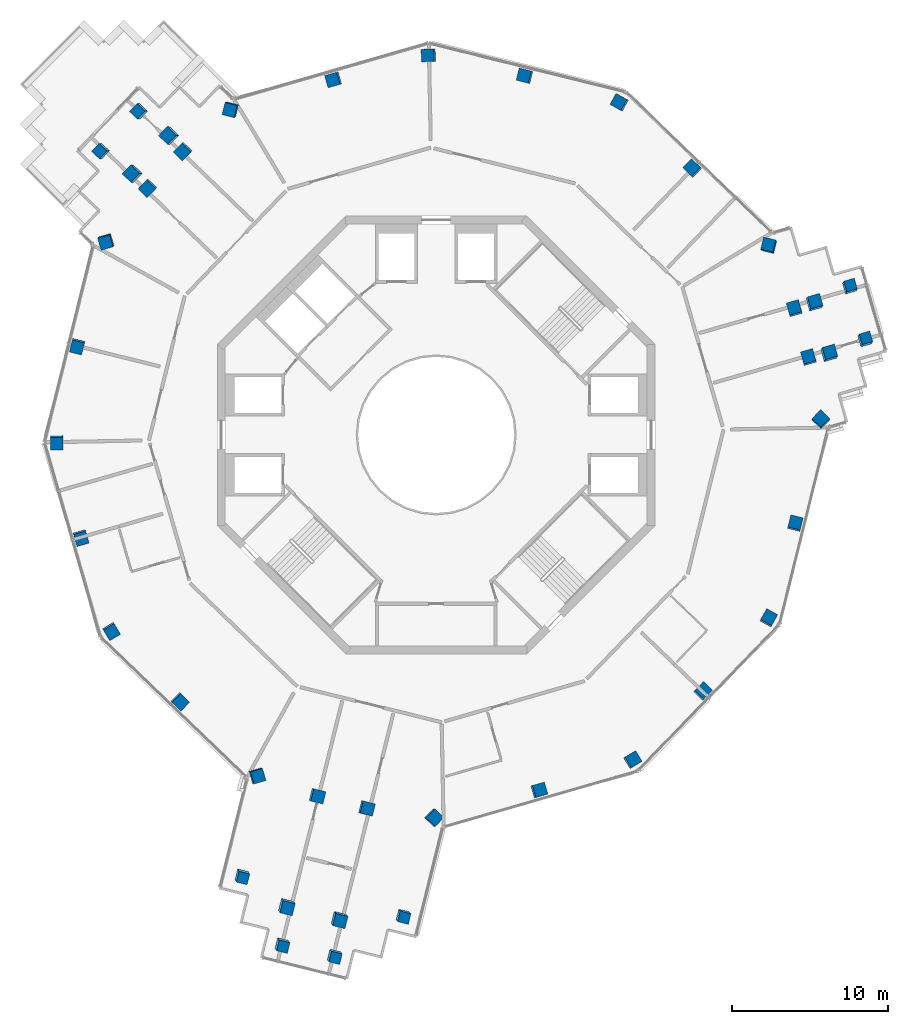
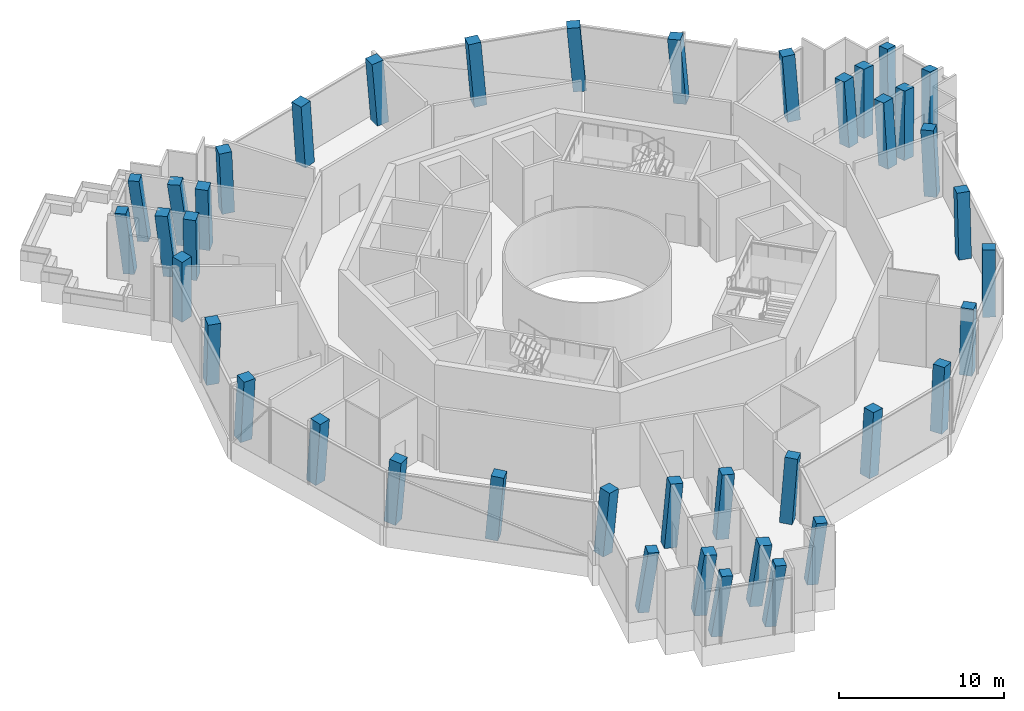
# One storey, part 1 of 17: 41 columns.
"""IFC4 building model written with IfcOpenShell, lengths in metres."""

from ifc_helpers import new_model, si_unit, direction, frame, origin, origin_2d, place, context, subcontext, project, spatial, rectangle, extrude, material, material_profile, profile_set, type_object, element, save


model = new_model("IFC4")

# Units and contexts
model_context = context("Model", 3, precision=1e-05, world=origin(), true_north=direction((0.0, 1.0)))
body_context = subcontext(model_context, "Body", "Model", "MODEL_VIEW")
ifc_project = project(units=[si_unit("LENGTHUNIT", "METRE"), si_unit("AREAUNIT", "SQUARE_METRE"), si_unit("VOLUMEUNIT", "CUBIC_METRE"), si_unit("PLANEANGLEUNIT", "RADIAN"), si_unit("MASSUNIT", "GRAM", prefix="KILO")], contexts=[model_context])

# Site, building, storey
site_placement = place(None, origin())
site = spatial("IfcSite", under=ifc_project, at=site_placement, CompositionType="ELEMENT")
building_placement = place(site_placement, origin())
building = spatial("IfcBuilding", under=site, at=building_placement, Name="Verdalira Terraces Hotel", CompositionType="ELEMENT")
storey_placement = place(building_placement, frame((0.0, 0.0, 222.0)))
storey = spatial("IfcBuildingStorey", under=building, at=storey_placement, Name="L54", CompositionType="ELEMENT", Elevation=222.0)

# Columns
ifc_material_1 = material(Name="Concrete C50", Category="concrete")
ifc_material_profile_1 = material_profile(ifc_material_1, rectangle(XDim=0.699951, YDim=0.699951, at=origin_2d()), Name="RC 700X700")
ifc_profile_set_1 = profile_set([ifc_material_profile_1], Name="Concrete C50")
column_type_1 = type_object("IfcColumnType", Name="Column RC 700X700 C50", PredefinedType="COLUMN", material=ifc_profile_set_1)
column_1_placement = place(storey_placement, frame((-12.447266, -28.190186, 0.0), z_axis=(0.072235859, -0.13392446, 0.98835531), x_axis=(-0.250241026, -0.961681231, -0.11202071)))
element("IfcColumn", 1, at=column_1_placement, inside=storey, type_object=column_type_1, Name="Column C08", PredefinedType="COLUMN", context=body_context, shape_type="SweptSolid", body=[
    extrude(rectangle(XDim=0.699951, YDim=0.699951, at=origin_2d()), origin(), (0.0, 0.0, 1.0), 4.745117),
])
column_2_placement = place(storey_placement, frame((-9.891602, -32.594482, 0.0), z_axis=(0.086741901, -0.125276708, 0.988322614), x_axis=(0.967103187, -0.227548938, -0.113722938)))
element("IfcColumn", 2, at=column_2_placement, inside=storey, type_object=column_type_1, Name="Column C09", PredefinedType="COLUMN", context=body_context, shape_type="SweptSolid", body=[
    extrude(rectangle(XDim=0.699951, YDim=0.699951, at=origin_2d()), origin(), (0.0, 0.0, 1.0), 4.745361),
])
column_3_placement = place(storey_placement, frame((-6.548096, -33.320068, 0.0), z_axis=(0.089157083, -0.114343572, 0.989432444), x_axis=(0.966794372, -0.228931598, -0.113573618)))
element("IfcColumn", 3, at=column_3_placement, inside=storey, type_object=column_type_1, Name="Column C10", PredefinedType="COLUMN", context=body_context, shape_type="SweptSolid", body=[
    extrude(rectangle(XDim=0.699951, YDim=0.699951, at=origin_2d()), origin(), (0.0, 0.0, 1.0), 4.73999),
])
column_4_placement = place(storey_placement, frame((-2.143799, -30.764404, 0.0), z_axis=(0.080688994, -0.100048158, 0.991705426), x_axis=(0.247853071, 0.965712079, 0.077259535)))
element("IfcColumn", 4, at=column_4_placement, inside=storey, type_object=column_type_1, Name="Column C11", PredefinedType="COLUMN", context=body_context, shape_type="SweptSolid", body=[
    extrude(rectangle(XDim=0.699951, YDim=0.699951, at=origin_2d()), origin(), (0.0, 0.0, 1.0), 4.729248),
])
column_5_placement = place(storey_placement, frame((27.408203, 6.068848, 0.0), z_axis=(0.070939171, 0.118936532, 0.990364446), x_axis=(-0.285062319, 0.953875237, -0.094135576)))
element("IfcColumn", 5, at=column_5_placement, inside=storey, type_object=column_type_1, Name="Column C19", PredefinedType="COLUMN", context=body_context, shape_type="SweptSolid", body=[
    extrude(rectangle(XDim=0.699951, YDim=0.699951, at=origin_2d()), origin(), (0.0, 0.0, 1.0), 4.735596),
])
column_6_placement = place(storey_placement, frame((26.433105, 9.451172, 0.0), z_axis=(0.05987016, 0.115766181, 0.991470501), x_axis=(-0.283719095, 0.954260476, -0.094289021)))
element("IfcColumn", 6, at=column_6_placement, inside=storey, type_object=column_type_1, Name="Column C20", PredefinedType="COLUMN", context=body_context, shape_type="SweptSolid", body=[
    extrude(rectangle(XDim=0.699951, YDim=0.699951, at=origin_2d()), origin(), (0.0, 0.0, 1.0), 4.730225),
])
column_7_placement = place(storey_placement, frame((-18.959961, 20.70166, 0.0), z_axis=(-0.138475646, 0.002010629, 0.990363798), x_axis=(-0.683776998, -0.723593061, -0.094138724)))
element("IfcColumn", 7, at=column_7_placement, inside=storey, type_object=column_type_1, Name="Column C28", PredefinedType="COLUMN", context=body_context, shape_type="SweptSolid", body=[
    extrude(rectangle(XDim=0.699951, YDim=0.699951, at=origin_2d()), origin(), (0.0, 0.0, 1.0), 4.735596),
])
column_8_placement = place(storey_placement, frame((-21.401611, 18.16626, 0.0), z_axis=(-0.130115637, -0.0060903, 0.99148012), x_axis=(-0.684229618, -0.7231524, -0.094236067)))
element("IfcColumn", 8, at=column_8_placement, inside=storey, type_object=column_type_1, Name="Column C29", PredefinedType="COLUMN", context=body_context, shape_type="SweptSolid", body=[
    extrude(rectangle(XDim=0.699951, YDim=0.699951, at=origin_2d()), origin(), (0.0, 0.0, 1.0), 4.730225),
])
ifc_material_2 = material(Name="Concrete C50", Category="concrete")
ifc_material_profile_2 = material_profile(ifc_material_2, rectangle(XDim=0.800049, YDim=0.800049, at=origin_2d()), Name="RC 800X800")
ifc_profile_set_2 = profile_set([ifc_material_profile_2], Name="Concrete C50")
column_type_2 = type_object("IfcColumnType", Name="Column RC 800X800 C50", PredefinedType="COLUMN", material=ifc_profile_set_2)
column_9_placement = place(storey_placement, frame((-21.116699, 12.394287, 0.0), z_axis=(-0.040830981, -0.070870546, 0.996649485), x_axis=(-0.27945954, 0.958481417, 0.056707494)))
element("IfcColumn", 9, at=column_9_placement, inside=storey, type_object=column_type_2, Name="Column C01", PredefinedType="COLUMN", context=body_context, shape_type="SweptSolid", body=[
    extrude(rectangle(XDim=0.800049, YDim=0.800049, at=origin_2d()), origin(), (0.0, 0.0, 1.0), 4.705811),
])
column_10_placement = place(storey_placement, frame((-22.963379, 5.691406, 0.0), z_axis=(-0.018422156, -0.07685412, 0.996872142), x_axis=(-0.240534622, -0.96741801, -0.079028416)))
element("IfcColumn", 10, at=column_10_placement, inside=storey, type_object=column_type_2, Name="Column C02", PredefinedType="COLUMN", context=body_context, shape_type="SweptSolid", body=[
    extrude(rectangle(XDim=0.800049, YDim=0.800049, at=origin_2d()), origin(), (0.0, 0.0, 1.0), 4.70459),
])
column_11_placement = place(storey_placement, frame((-24.281494, -0.457764, 0.0), z_axis=(0.002231039, -0.081095683, 0.996703824), x_axis=(-0.019006948, 0.996522811, 0.081123501)))
element("IfcColumn", 11, at=column_11_placement, inside=storey, type_object=column_type_2, Name="Column C03", PredefinedType="COLUMN", context=body_context, shape_type="SweptSolid", body=[
    extrude(rectangle(XDim=0.800049, YDim=0.800049, at=origin_2d()), origin(), (0.0, 0.0, 1.0), 4.705566),
])
column_12_placement = place(storey_placement, frame((-22.732666, -6.552979, 0.0), z_axis=(0.022521805, -0.075712705, 0.996875295), x_axis=(0.276161296, -0.957859976, -0.078988637)))
element("IfcColumn", 12, at=column_12_placement, inside=storey, type_object=column_type_2, Name="Column C04", PredefinedType="COLUMN", context=body_context, shape_type="SweptSolid", body=[
    extrude(rectangle(XDim=0.800049, YDim=0.800049, at=origin_2d()), origin(), (0.0, 0.0, 1.0), 4.70459),
])
column_13_placement = place(storey_placement, frame((-20.799561, -12.537109, 0.0), z_axis=(0.042441715, -0.06911047, 0.996705796), x_axis=(-0.51440702, 0.853702715, 0.081099269)))
element("IfcColumn", 13, at=column_13_placement, inside=storey, type_object=column_type_2, Name="Column C05", PredefinedType="COLUMN", context=body_context, shape_type="SweptSolid", body=[
    extrude(rectangle(XDim=0.800049, YDim=0.800049, at=origin_2d()), origin(), (0.0, 0.0, 1.0), 4.705322),
])
column_14_placement = place(storey_placement, frame((-16.410645, -17.04126, 0.0), z_axis=(0.05739393, -0.054384122, 0.996869251), x_axis=(0.717805399, -0.691739947, -0.079064874)))
element("IfcColumn", 14, at=column_14_placement, inside=storey, type_object=column_type_2, Name="Column C06", PredefinedType="COLUMN", context=body_context, shape_type="SweptSolid", body=[
    extrude(rectangle(XDim=0.800049, YDim=0.800049, at=origin_2d()), origin(), (0.0, 0.0, 1.0), 4.70459),
])
for number, where, z_axis, x_axis, name in (
    (15, (-11.479004, -21.790283, 0.0), (0.073046916, -0.037768576, 0.996613106), (-0.272604509, 0.960472866, 0.056379563), "Column C07"),
    (16, (-0.175293, -24.484863, 0.0), (0.081765896, 0.000103764, 0.996651558), (-0.690083477, -0.721506092, 0.056689983), "Column C12"),
):
    element("IfcColumn", number, at=place(storey_placement, frame(where, z_axis=z_axis, x_axis=x_axis)), inside=storey, type_object=column_type_2, Name=name, PredefinedType="COLUMN", context=body_context, shape_type="SweptSolid", body=[
        extrude(rectangle(XDim=0.800049, YDim=0.800049, at=origin_2d()), origin(), (0.0, 0.0, 1.0), 4.705811),
    ])
column_15_placement = place(storey_placement, frame((6.552979, -22.732666, 0.0), z_axis=(0.075712705, 0.022521805, 0.996875295), x_axis=(0.957859976, 0.276161296, -0.078988637)))
element("IfcColumn", 17, at=column_15_placement, inside=storey, type_object=column_type_2, Name="Column C13", PredefinedType="COLUMN", context=body_context, shape_type="SweptSolid", body=[
    extrude(rectangle(XDim=0.800049, YDim=0.800049, at=origin_2d()), origin(), (0.0, 0.0, 1.0), 4.70459),
])
column_16_placement = place(storey_placement, frame((12.537109, -20.799561, 0.0), z_axis=(0.06911047, 0.042441715, 0.996705796), x_axis=(-0.853702715, -0.51440702, 0.081099269)))
element("IfcColumn", 18, at=column_16_placement, inside=storey, type_object=column_type_2, Name="Column C14", PredefinedType="COLUMN", context=body_context, shape_type="SweptSolid", body=[
    extrude(rectangle(XDim=0.800049, YDim=0.800049, at=origin_2d()), origin(), (0.0, 0.0, 1.0), 4.705322),
])
column_17_placement = place(storey_placement, frame((17.04126, -16.410645, 0.0), z_axis=(0.054384122, 0.05739393, 0.996869251), x_axis=(0.691739947, 0.717805399, -0.079064874)))
element("IfcColumn", 19, at=column_17_placement, inside=storey, type_object=column_type_2, Name="Column C15", PredefinedType="COLUMN", context=body_context, shape_type="SweptSolid", body=[
    extrude(rectangle(XDim=0.800049, YDim=0.800049, at=origin_2d()), origin(), (0.0, 0.0, 1.0), 4.70459),
])
column_18_placement = place(storey_placement, frame((21.257324, -11.744385, 0.0), z_axis=(0.038654009, 0.071341292, 0.996702708), x_axis=(-0.482188923, -0.872301895, 0.081137213)))
element("IfcColumn", 20, at=column_18_placement, inside=storey, type_object=column_type_2, Name="Column C16", PredefinedType="COLUMN", context=body_context, shape_type="SweptSolid", body=[
    extrude(rectangle(XDim=0.800049, YDim=0.800049, at=origin_2d()), origin(), (0.0, 0.0, 1.0), 4.705566),
])
column_19_placement = place(storey_placement, frame((22.963379, -5.691406, 0.0), z_axis=(0.018422156, 0.07685412, 0.996872142), x_axis=(0.240534622, 0.96741801, -0.079028416)))
element("IfcColumn", 21, at=column_19_placement, inside=storey, type_object=column_type_2, Name="Column C17", PredefinedType="COLUMN", context=body_context, shape_type="SweptSolid", body=[
    extrude(rectangle(XDim=0.800049, YDim=0.800049, at=origin_2d()), origin(), (0.0, 0.0, 1.0), 4.70459),
])
for number, where, z_axis, x_axis, name in (
    (22, (24.610596, 0.953857, 0.0), (-0.003890982, 0.082177533, 0.996610111), (-0.694843067, -0.716946059, 0.056404442), "Column C18"),
    (23, (21.292236, 12.090576, 0.0), (-0.040986667, 0.070766852, 0.996650463), (0.969907963, -0.236777829, 0.056699232), "Column C21"),
):
    element("IfcColumn", number, at=place(storey_placement, frame(where, z_axis=z_axis, x_axis=x_axis)), inside=storey, type_object=column_type_2, Name=name, PredefinedType="COLUMN", context=body_context, shape_type="SweptSolid", body=[
        extrude(rectangle(XDim=0.800049, YDim=0.800049, at=origin_2d()), origin(), (0.0, 0.0, 1.0), 4.705811),
    ])
column_20_placement = place(storey_placement, frame((16.410645, 17.04126, 0.0), z_axis=(-0.05739393, 0.054384122, 0.996869251), x_axis=(-0.717805399, 0.691739947, -0.079064874)))
element("IfcColumn", 24, at=column_20_placement, inside=storey, type_object=column_type_2, Name="Column C22", PredefinedType="COLUMN", context=body_context, shape_type="SweptSolid", body=[
    extrude(rectangle(XDim=0.800049, YDim=0.800049, at=origin_2d()), origin(), (0.0, 0.0, 1.0), 4.70459),
])
column_21_placement = place(storey_placement, frame((11.744385, 21.257324, 0.0), z_axis=(-0.071341292, 0.038654009, 0.996702708), x_axis=(0.872301895, -0.482188923, 0.081137213)))
element("IfcColumn", 25, at=column_21_placement, inside=storey, type_object=column_type_2, Name="Column C23", PredefinedType="COLUMN", context=body_context, shape_type="SweptSolid", body=[
    extrude(rectangle(XDim=0.800049, YDim=0.800049, at=origin_2d()), origin(), (0.0, 0.0, 1.0), 4.705566),
])
column_22_placement = place(storey_placement, frame((5.691406, 22.963379, 0.0), z_axis=(-0.07685412, 0.018422156, 0.996872142), x_axis=(-0.96741801, 0.240534622, -0.079028416)))
element("IfcColumn", 26, at=column_22_placement, inside=storey, type_object=column_type_2, Name="Column C24", PredefinedType="COLUMN", context=body_context, shape_type="SweptSolid", body=[
    extrude(rectangle(XDim=0.800049, YDim=0.800049, at=origin_2d()), origin(), (0.0, 0.0, 1.0), 4.70459),
])
column_23_placement = place(storey_placement, frame((-0.457764, 24.281494, 0.0), z_axis=(-0.081095683, -0.002231039, 0.996703824), x_axis=(0.996522811, 0.019006948, 0.081123501)))
element("IfcColumn", 27, at=column_23_placement, inside=storey, type_object=column_type_2, Name="Column C25", PredefinedType="COLUMN", context=body_context, shape_type="SweptSolid", body=[
    extrude(rectangle(XDim=0.800049, YDim=0.800049, at=origin_2d()), origin(), (0.0, 0.0, 1.0), 4.705566),
])
column_24_placement = place(storey_placement, frame((-6.552979, 22.732666, 0.0), z_axis=(-0.075712705, -0.022521805, 0.996875295), x_axis=(-0.957859976, -0.276161296, -0.078988637)))
element("IfcColumn", 28, at=column_24_placement, inside=storey, type_object=column_type_2, Name="Column C26", PredefinedType="COLUMN", context=body_context, shape_type="SweptSolid", body=[
    extrude(rectangle(XDim=0.800049, YDim=0.800049, at=origin_2d()), origin(), (0.0, 0.0, 1.0), 4.70459),
])
column_25_placement = place(storey_placement, frame((-13.131348, 20.836426, 0.0), z_axis=(-0.069207657, -0.044460991, 0.996611018), x_axis=(0.968345326, -0.24315986, 0.056396911)))
element("IfcColumn", 29, at=column_25_placement, inside=storey, type_object=column_type_2, Name="Column C27", PredefinedType="COLUMN", context=body_context, shape_type="SweptSolid", body=[
    extrude(rectangle(XDim=0.800049, YDim=0.800049, at=origin_2d()), origin(), (0.0, 0.0, 1.0), 4.705811),
])
for number, where, z_axis, x_axis, name in (
    (30, (-16.185791, 18.164062, 0.0), (-0.060185569, -0.054582085, 0.996693781), (-0.720240935, 0.693702182, -0.005502592), "Column C30"),
    (31, (-18.44458, 15.818359, 0.0), (-0.052351505, -0.06200203, 0.996702096), (-0.720125327, 0.69382349, 0.005336419), "Column C31"),
):
    element("IfcColumn", number, at=place(storey_placement, frame(where, z_axis=z_axis, x_axis=x_axis)), inside=storey, type_object=column_type_2, Name=name, PredefinedType="COLUMN", context=body_context, shape_type="SweptSolid", body=[
        extrude(rectangle(XDim=0.800049, YDim=0.800049, at=origin_2d()), origin(), (0.0, 0.0, 1.0), 4.705566),
    ])
column_26_placement = place(storey_placement, frame((-17.039795, 19.14917, 0.0), z_axis=(-0.133510641, 0.008357312, 0.991012141), x_axis=(-0.710634093, 0.696185936, -0.101608701)))
element("IfcColumn", 32, at=column_26_placement, inside=storey, type_object=column_type_2, Name="Column C32", PredefinedType="COLUMN", context=body_context, shape_type="SweptSolid", body=[
    extrude(rectangle(XDim=0.800049, YDim=0.800049, at=origin_2d()), origin(), (0.0, 0.0, 1.0), 4.732422),
])
column_27_placement = place(storey_placement, frame((-19.379883, 16.718994, 0.0), z_axis=(-0.125496509, 0.000723025, 0.992093798), x_axis=(-0.711713071, 0.696611485, -0.090536977)))
element("IfcColumn", 33, at=column_27_placement, inside=storey, type_object=column_type_2, Name="Column C33", PredefinedType="COLUMN", context=body_context, shape_type="SweptSolid", body=[
    extrude(rectangle(XDim=0.800049, YDim=0.800049, at=origin_2d()), origin(), (0.0, 0.0, 1.0), 4.727295),
])
for number, where, z_axis, x_axis, name in (
    (34, (-7.637695, -23.099365, 0.0), (0.077359187, -0.024852482, 0.996693489), (-0.240896642, -0.970535175, -0.005502835), "Column C34"),
    (35, (-4.476807, -23.882812, 0.0), (0.079902078, -0.014268228, 0.996700595), (-0.239934337, -0.970774445, 0.005337632), "Column C35"),
):
    element("IfcColumn", number, at=place(storey_placement, frame(where, z_axis=z_axis, x_axis=x_axis)), inside=storey, type_object=column_type_2, Name=name, PredefinedType="COLUMN", context=body_context, shape_type="SweptSolid", body=[
        extrude(rectangle(XDim=0.800049, YDim=0.800049, at=origin_2d()), origin(), (0.0, 0.0, 1.0), 4.705566),
    ])
column_28_placement = place(storey_placement, frame((-9.604492, -30.131104, 0.0), z_axis=(0.078623383, -0.124499895, 0.989099661), x_axis=(-0.249793022, -0.962979947, -0.101356146)))
element("IfcColumn", 36, at=column_28_placement, inside=storey, type_object=column_type_2, Name="Column C36", PredefinedType="COLUMN", context=body_context, shape_type="SweptSolid", body=[
    extrude(rectangle(XDim=0.800049, YDim=0.800049, at=origin_2d()), origin(), (0.0, 0.0, 1.0), 4.741699),
])
column_29_placement = place(storey_placement, frame((-6.232666, -30.966797, 0.0), z_axis=(0.081391564, -0.113453346, 0.990203894), x_axis=(-0.248961908, -0.964320317, -0.09002385)))
element("IfcColumn", 37, at=column_29_placement, inside=storey, type_object=column_type_2, Name="Column C37", PredefinedType="COLUMN", context=body_context, shape_type="SweptSolid", body=[
    extrude(rectangle(XDim=0.800049, YDim=0.800049, at=origin_2d()), origin(), (0.0, 0.0, 1.0), 4.736328),
])
for number, where, z_axis, x_axis, name in (
    (38, (23.823486, 4.935303, 0.0), (-0.017173613, 0.079434444, 0.996692147), (0.960909688, 0.276807295, -0.005503949), "Column C38"),
    (39, (22.921387, 8.064209, 0.0), (-0.027550704, 0.076322196, 0.996702504), (0.960812352, 0.277148247, 0.00533609), "Column C39"),
):
    element("IfcColumn", number, at=place(storey_placement, frame(where, z_axis=z_axis, x_axis=x_axis)), inside=storey, type_object=column_type_2, Name=name, PredefinedType="COLUMN", context=body_context, shape_type="SweptSolid", body=[
        extrude(rectangle(XDim=0.800049, YDim=0.800049, at=origin_2d()), origin(), (0.0, 0.0, 1.0), 4.705566),
    ])
column_30_placement = place(storey_placement, frame((25.103516, 5.182373, 0.0), z_axis=(0.074029195, 0.111430705, 0.991011037), x_axis=(0.958307312, 0.267060866, -0.101614912)))
element("IfcColumn", 40, at=column_30_placement, inside=storey, type_object=column_type_2, Name="Column C40", PredefinedType="COLUMN", context=body_context, shape_type="SweptSolid", body=[
    extrude(rectangle(XDim=0.800049, YDim=0.800049, at=origin_2d()), origin(), (0.0, 0.0, 1.0), 4.732422),
])
column_31_placement = place(storey_placement, frame((24.169189, 8.423828, 0.0), z_axis=(0.063316381, 0.108350544, 0.992094348), x_axis=(0.959001697, 0.268550498, -0.090533838)))
element("IfcColumn", 41, at=column_31_placement, inside=storey, type_object=column_type_2, Name="Column C41", PredefinedType="COLUMN", context=body_context, shape_type="SweptSolid", body=[
    extrude(rectangle(XDim=0.800049, YDim=0.800049, at=origin_2d()), origin(), (0.0, 0.0, 1.0), 4.727295),
])

save(model, "model.ifc")
